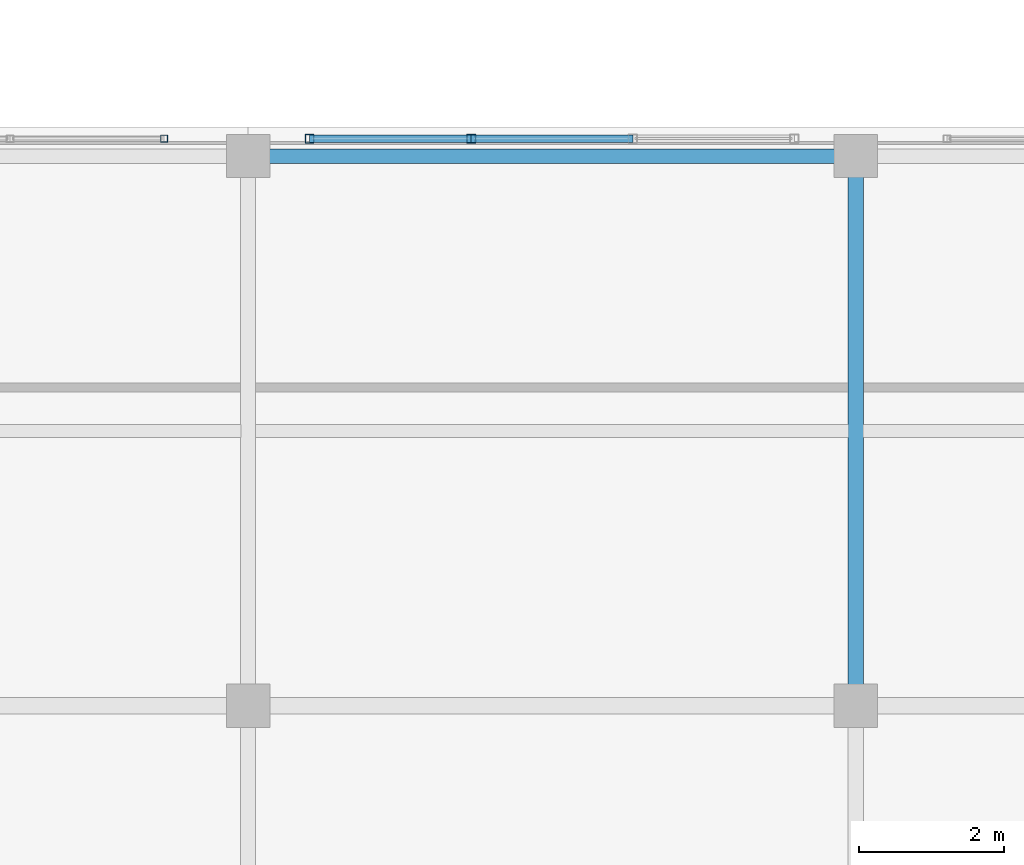
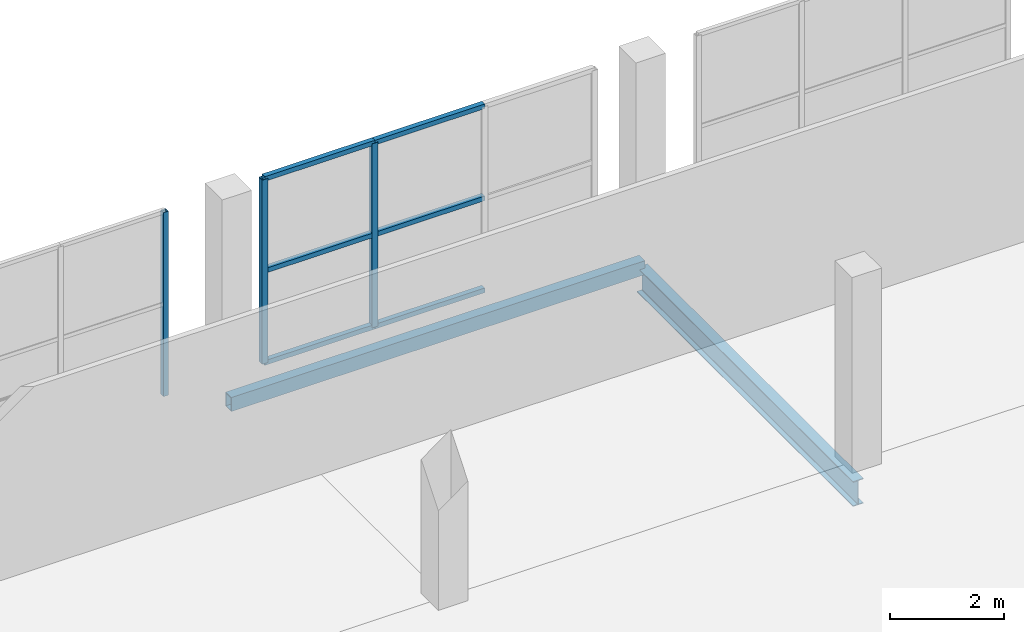
# One storey, part 40 of 217: 9 members, 2 beams, 2 elements without a shape of their own.
"""IFC4 building model written with IfcOpenShell, lengths in metres."""

from ifc_helpers import new_model, si_unit, direction, frame, origin, origin_2d, place, context, subcontext, project, spatial, hollow_rectangle, i_section, extrude, material, material_profile, profile_set, type_object, element, aggregate, save


model = new_model("IFC4")

# Units and contexts
model_context = context("Model", 3, precision=1e-05, world=origin(), true_north=direction((0.0, 1.0)))
body_context = subcontext(model_context, "Body", "Model", "MODEL_VIEW")
ifc_project = project(units=[si_unit("LENGTHUNIT", "METRE"), si_unit("AREAUNIT", "SQUARE_METRE"), si_unit("VOLUMEUNIT", "CUBIC_METRE"), si_unit("PLANEANGLEUNIT", "RADIAN"), si_unit("MASSUNIT", "GRAM", prefix="KILO")], contexts=[model_context])

# Site, building, storey
site_placement = place(None, origin())
site = spatial("IfcSite", under=ifc_project, at=site_placement, CompositionType="ELEMENT")
building_placement = place(site_placement, origin())
building = spatial("IfcBuilding", under=site, at=building_placement, Name="Zuvorla Pavilion Media Centre", CompositionType="ELEMENT")
storey_placement = place(building_placement, frame((0.0, 0.0, 9.60009765625)))
storey = spatial("IfcBuildingStorey", under=building, at=storey_placement, Name="L02", CompositionType="ELEMENT", Elevation=9.60009765625)

# Beams
ifc_material_1 = material(Name="Steel S355", Category="steel")
ifc_material_profile_1 = material_profile(ifc_material_1, hollow_rectangle(XDim=0.199951171875, YDim=0.300048828125, WallThickness=0.012451171875, at=origin_2d()), Name="RHS 300x200x12.5")
ifc_profile_set_1 = profile_set([ifc_material_profile_1], Name="Steel S355")
beam_type_1 = type_object("IfcBeamType", Name="BM-SP-RHS300", PredefinedType="SPANDREL", material=ifc_profile_set_1)
beam_1_placement = place(storey_placement, frame((92.0, 51.60009765625, -0.418212890625), z_axis=(1.0, 0.0, 0.0), x_axis=(0.0, 1.0, 0.0)))
element("IfcBeam", 1, at=beam_1_placement, inside=storey, type_object=beam_type_1, Name="L02 spandrel SP01 844", PredefinedType="SPANDREL", context=body_context, shape_type="SweptSolid", body=[
    extrude(hollow_rectangle(XDim=0.199951171875, YDim=0.300048828125, WallThickness=0.012451171875, at=origin_2d()), origin(), (0.0, 0.0, 1.0), 8.39990234375),
])
ifc_material_profile_2 = material_profile(ifc_material_1, i_section(OverallWidth=0.2099609375, OverallDepth=0.53662109375, WebThickness=0.0107421875, FlangeThickness=0.017333984375, FilletRadius=0.0126953125, at=origin_2d()), Name="UB 533x210x101")
ifc_profile_set_2 = profile_set([ifc_material_profile_2], Name="Steel S355")
beam_type_2 = type_object("IfcBeamType", Name="BM-UB533", PredefinedType="BEAM", material=ifc_profile_set_2)
beam_2_placement = place(storey_placement, frame((100.39990234375, 44.0, -0.6962890625), z_axis=(0.0, 1.0, 0.0), x_axis=(-1.0, 0.0, 0.0)))
element("IfcBeam", 2, at=beam_2_placement, inside=storey, type_object=beam_type_2, Name="L02 beam B08 952", PredefinedType="BEAM", context=body_context, shape_type="SweptSolid", body=[
    extrude(i_section(OverallWidth=0.2099609375, OverallDepth=0.53662109375, WebThickness=0.0107421875, FlangeThickness=0.017333984375, FilletRadius=0.0126953125, at=origin_2d()), origin(), (0.0, 0.0, 1.0), 7.60009765625),
])

# Curtain wall, member
ifc_material_2 = material(Name="Unitised anodised aluminium and solar glass curtain wall", Category="aluminium")
curtain_wall_type_1 = type_object("IfcCurtainWallType", Name="CW-SYS-45", PredefinedType="USERDEFINED", material=ifc_material_2)
curtain_wall_1_placement = place(storey_placement, origin())
curtain_wall_1 = element("IfcCurtainWall", 3, at=curtain_wall_1_placement, inside=storey, type_object=curtain_wall_type_1, Name="L02 curtain wall CW45 66", ObjectType="CURTAIN WALL", PredefinedType="USERDEFINED")
ifc_material_3 = material(Name="Anodised aluminium 6063-T6", Category="aluminium")
ifc_material_profile_3 = material_profile(ifc_material_3, hollow_rectangle(XDim=0.10009765625, YDim=0.10009765625, WallThickness=0.00439453125, at=origin_2d()), Name="ALU MULL 100x100")
ifc_profile_set_3 = profile_set([ifc_material_profile_3], Name="Anodised aluminium 6063-T6")
member_type_1 = type_object("IfcMemberType", Name="CW-MULL-100", PredefinedType="MULLION", material=ifc_profile_set_3)
member_1_placement = place(storey_placement, frame((90.840087890625, 51.840087890625, 0.0), z_axis=(0.0, 0.0, 1.0), x_axis=(1.0, 0.0, 0.0)))
member_1 = element("IfcMember", 4, at=member_1_placement, type_object=member_type_1, Name="CW45 mullion 4", PredefinedType="MULLION", context=body_context, shape_type="SweptSolid", body=[
    extrude(hollow_rectangle(XDim=0.10009765625, YDim=0.10009765625, WallThickness=0.00439453125, at=origin_2d()), origin(), (0.0, 0.0, 1.0), 3.949951171875),
])
aggregate(curtain_wall_1, [member_1])

# Curtain wall, members
curtain_wall_type_2 = type_object("IfcCurtainWallType", Name="CW-SYS-48", PredefinedType="USERDEFINED", material=ifc_material_2)
curtain_wall_2_placement = place(storey_placement, origin())
curtain_wall_2 = element("IfcCurtainWall", 5, at=curtain_wall_2_placement, inside=storey, type_object=curtain_wall_type_2, Name="L02 curtain wall CW48 69", ObjectType="CURTAIN WALL", PredefinedType="USERDEFINED")
ifc_material_profile_4 = material_profile(ifc_material_3, hollow_rectangle(XDim=0.1201171875, YDim=0.1201171875, WallThickness=0.0048828125, at=origin_2d()), Name="ALU MULL 120x120")
ifc_profile_set_4 = profile_set([ifc_material_profile_4], Name="Anodised aluminium 6063-T6")
member_type_2 = type_object("IfcMemberType", Name="CW-MULL-120", PredefinedType="MULLION", material=ifc_profile_set_4)
member_2_placement = place(storey_placement, frame((92.850341796875, 51.840087890625, 0.0), z_axis=(0.0, 0.0, 1.0), x_axis=(1.0, 0.0, 0.0)))
member_2 = element("IfcMember", 6, at=member_2_placement, type_object=member_type_2, Name="CW48 mullion 1", PredefinedType="MULLION", context=body_context, shape_type="SweptSolid", body=[
    extrude(hollow_rectangle(XDim=0.1201171875, YDim=0.1201171875, WallThickness=0.0048828125, at=origin_2d()), origin(), (0.0, 0.0, 1.0), 3.949951171875),
])
member_3_placement = place(storey_placement, frame((95.08349609375, 51.840087890625, 0.0), z_axis=(0.0, 0.0, 1.0), x_axis=(1.0, 0.0, 0.0)))
member_3 = element("IfcMember", 7, at=member_3_placement, type_object=member_type_2, Name="CW48 mullion 2", PredefinedType="MULLION", context=body_context, shape_type="SweptSolid", body=[
    extrude(hollow_rectangle(XDim=0.1201171875, YDim=0.1201171875, WallThickness=0.0048828125, at=origin_2d()), origin(), (0.0, 0.0, 1.0), 3.949951171875),
])
ifc_material_profile_5 = material_profile(ifc_material_3, hollow_rectangle(XDim=0.10009765625, YDim=0.10009765625, WallThickness=0.00439453125, at=origin_2d()), Name="ALU TRAN 100x100")
ifc_profile_set_5 = profile_set([ifc_material_profile_5], Name="Anodised aluminium 6063-T6")
member_type_3 = type_object("IfcMemberType", Name="CW-TRAN-100", PredefinedType="USERDEFINED", material=ifc_profile_set_5)
member_4_placement = place(storey_placement, frame((92.850341796875, 51.840087890625, 0.0), z_axis=(1.0, 0.0, 0.0), x_axis=(0.0, 1.0, 0.0)))
member_4 = element("IfcMember", 8, at=member_4_placement, type_object=member_type_3, Name="CW48 transom 1.1", ObjectType="TRANSOM", PredefinedType="USERDEFINED", context=body_context, shape_type="SweptSolid", body=[
    extrude(hollow_rectangle(XDim=0.10009765625, YDim=0.10009765625, WallThickness=0.00439453125, at=origin_2d()), origin(), (0.0, 0.0, 1.0), 2.233154296875),
])
member_5_placement = place(storey_placement, frame((92.850341796875, 51.840087890625, 1.974853515625), z_axis=(1.0, 0.0, 0.0), x_axis=(0.0, 1.0, 0.0)))
member_5 = element("IfcMember", 9, at=member_5_placement, type_object=member_type_3, Name="CW48 transom 1.2", ObjectType="TRANSOM", PredefinedType="USERDEFINED", context=body_context, shape_type="SweptSolid", body=[
    extrude(hollow_rectangle(XDim=0.10009765625, YDim=0.10009765625, WallThickness=0.00439453125, at=origin_2d()), origin(), (0.0, 0.0, 1.0), 2.233154296875),
])
member_6_placement = place(storey_placement, frame((92.850341796875, 51.840087890625, 3.949951171875), z_axis=(1.0, 0.0, 0.0), x_axis=(0.0, 1.0, 0.0)))
member_6 = element("IfcMember", 10, at=member_6_placement, type_object=member_type_3, Name="CW48 transom 1.3", ObjectType="TRANSOM", PredefinedType="USERDEFINED", context=body_context, shape_type="SweptSolid", body=[
    extrude(hollow_rectangle(XDim=0.10009765625, YDim=0.10009765625, WallThickness=0.00439453125, at=origin_2d()), origin(), (0.0, 0.0, 1.0), 2.233154296875),
])
member_7_placement = place(storey_placement, frame((95.08349609375, 51.840087890625, 0.0), z_axis=(1.0, 0.0, 0.0), x_axis=(0.0, 1.0, 0.0)))
member_7 = element("IfcMember", 11, at=member_7_placement, type_object=member_type_3, Name="CW48 transom 2.1", ObjectType="TRANSOM", PredefinedType="USERDEFINED", context=body_context, shape_type="SweptSolid", body=[
    extrude(hollow_rectangle(XDim=0.10009765625, YDim=0.10009765625, WallThickness=0.00439453125, at=origin_2d()), origin(), (0.0, 0.0, 1.0), 2.233154296875),
])
member_8_placement = place(storey_placement, frame((95.08349609375, 51.840087890625, 1.974853515625), z_axis=(1.0, 0.0, 0.0), x_axis=(0.0, 1.0, 0.0)))
member_8 = element("IfcMember", 12, at=member_8_placement, type_object=member_type_3, Name="CW48 transom 2.2", ObjectType="TRANSOM", PredefinedType="USERDEFINED", context=body_context, shape_type="SweptSolid", body=[
    extrude(hollow_rectangle(XDim=0.10009765625, YDim=0.10009765625, WallThickness=0.00439453125, at=origin_2d()), origin(), (0.0, 0.0, 1.0), 2.233154296875),
])
member_9_placement = place(storey_placement, frame((95.08349609375, 51.840087890625, 3.949951171875), z_axis=(1.0, 0.0, 0.0), x_axis=(0.0, 1.0, 0.0)))
member_9 = element("IfcMember", 13, at=member_9_placement, type_object=member_type_3, Name="CW48 transom 2.3", ObjectType="TRANSOM", PredefinedType="USERDEFINED", context=body_context, shape_type="SweptSolid", body=[
    extrude(hollow_rectangle(XDim=0.10009765625, YDim=0.10009765625, WallThickness=0.00439453125, at=origin_2d()), origin(), (0.0, 0.0, 1.0), 2.233154296875),
])
aggregate(curtain_wall_2, [member_2, member_3, member_4, member_5, member_6, member_7, member_8, member_9])

save(model, "model.ifc")
